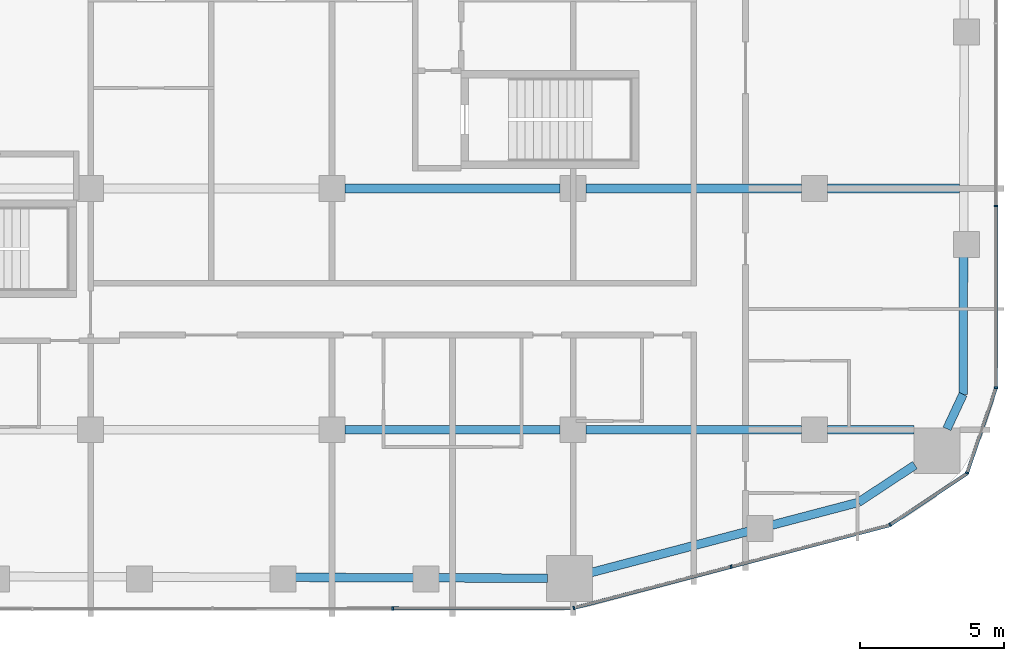
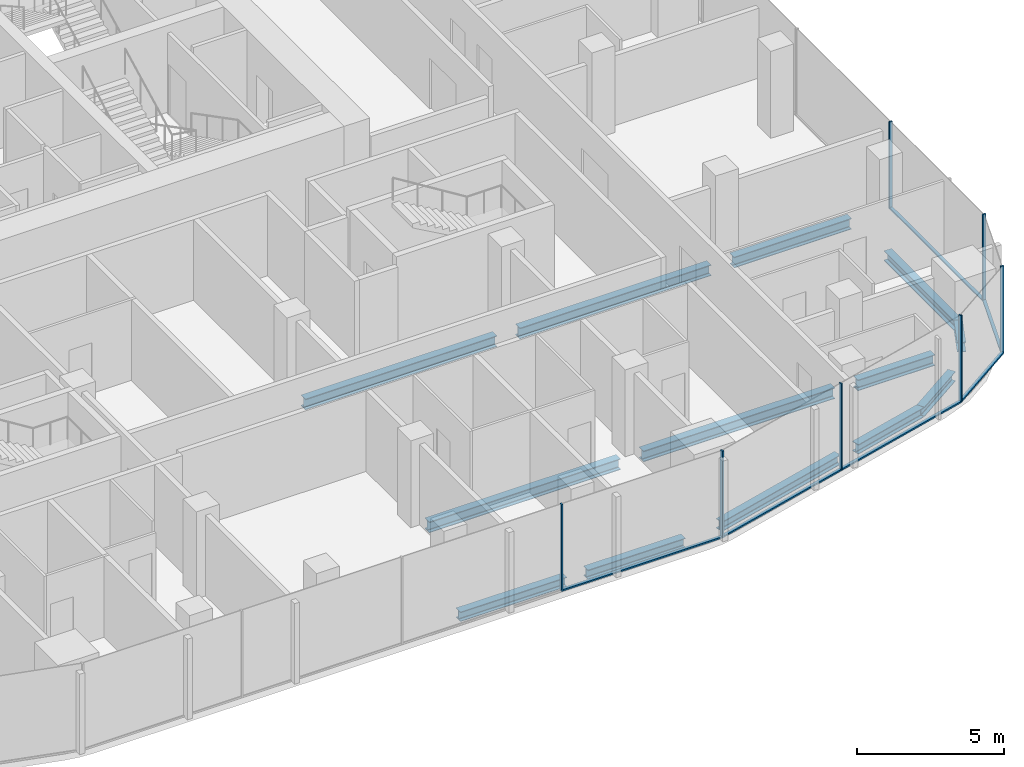
# One storey, part 6 of 23: 13 beams, 13 members, 5 elements without a shape of their own.
"""IFC4 building model written with IfcOpenShell, lengths in metres."""

from ifc_helpers import new_model, si_unit, direction, frame, origin, origin_2d, place, context, subcontext, project, spatial, rectangle, i_section, extrude, material, layer, layer_set, material_profile, profile_set, type_object, element, aggregate, save


model = new_model("IFC4")

# Units and contexts
model_context = context("Model", 3, precision=1e-05, world=origin(), true_north=direction((0.0, 1.0)))
body_context = subcontext(model_context, "Body", "Model", "MODEL_VIEW")
ifc_project = project(units=[si_unit("LENGTHUNIT", "METRE"), si_unit("AREAUNIT", "SQUARE_METRE"), si_unit("VOLUMEUNIT", "CUBIC_METRE"), si_unit("PLANEANGLEUNIT", "RADIAN"), si_unit("MASSUNIT", "GRAM", prefix="KILO")], contexts=[model_context])

# Site, building, storey
site_placement = place(None, origin())
site = spatial("IfcSite", under=ifc_project, at=site_placement, CompositionType="ELEMENT")
building_placement = place(site_placement, origin())
building = spatial("IfcBuilding", under=site, at=building_placement, Name="Marenta Gate Hotel Tower", CompositionType="ELEMENT")
storey_placement = place(building_placement, frame((0.0, 0.0, 119.300048828125)))
storey = spatial("IfcBuildingStorey", under=building, at=storey_placement, Name="L26", CompositionType="ELEMENT", Elevation=119.300048828125)

# Beams
ifc_material_1 = material(Name="Steel S355", Category="steel")
ifc_material_profile_1 = material_profile(ifc_material_1, i_section(OverallWidth=0.300048828125, OverallDepth=0.39990234375, WebThickness=0.013427734375, FlangeThickness=0.02392578125, FilletRadius=0.027099609375, at=origin_2d()), Name="HEB 400")
ifc_profile_set_1 = profile_set([ifc_material_profile_1], Name="Steel S355")
beam_type_1 = type_object("IfcBeamType", Name="Edge beam HEB 400", PredefinedType="SPANDREL", material=ifc_profile_set_1)
beam_1_placement = place(storey_placement, frame((26.191162109375, -10.761962890625, -0.4599609375), z_axis=(-0.003353298899, -0.999994377677, 0.0), x_axis=(0.999994377677, -0.003353298899, 0.0)))
element("IfcBeam", 1, at=beam_1_placement, inside=storey, type_object=beam_type_1, Name="L26-EB-27", PredefinedType="SPANDREL", context=body_context, shape_type="SweptSolid", body=[
    extrude(i_section(OverallWidth=0.300048828125, OverallDepth=0.39990234375, WebThickness=0.013427734375, FlangeThickness=0.02392578125, FilletRadius=0.027099609375, at=origin_2d()), origin(), (0.0, 0.0, 1.0), 4.80517578125),
])
beam_2_placement = place(storey_placement, frame((26.175048828125, -15.567138671875, -0.4599609375), z_axis=(-0.423207780269, -0.906032656541, 0.0), x_axis=(0.906032656541, -0.423207780269, 0.0)))
element("IfcBeam", 2, at=beam_2_placement, inside=storey, type_object=beam_type_1, Name="L26-EB-28", PredefinedType="SPANDREL", context=body_context, shape_type="SweptSolid", body=[
    extrude(i_section(OverallWidth=0.300048828125, OverallDepth=0.39990234375, WebThickness=0.013427734375, FlangeThickness=0.02392578125, FilletRadius=0.027099609375, at=origin_2d()), origin(), (0.0, 0.0, 1.0), 1.326904296875),
])
beam_3_placement = place(storey_placement, frame((24.496337890625, -18.0322265625, -0.4599609375), z_axis=(-0.834496060599, -0.551013906217, 0.0), x_axis=(0.551013906217, -0.834496060599, 0.0)))
element("IfcBeam", 3, at=beam_3_placement, inside=storey, type_object=beam_type_1, Name="L26-EB-29", PredefinedType="SPANDREL", context=body_context, shape_type="SweptSolid", body=[
    extrude(i_section(OverallWidth=0.300048828125, OverallDepth=0.39990234375, WebThickness=0.013427734375, FlangeThickness=0.02392578125, FilletRadius=0.027099609375, at=origin_2d()), origin(), (0.0, 0.0, 1.0), 2.357177734375),
])
beam_4_placement = place(storey_placement, frame((22.529296875, -19.3310546875, -0.4599609375), z_axis=(-0.967224706208, -0.25392197168, 0.0), x_axis=(0.25392197168, -0.967224706208, 0.0)))
element("IfcBeam", 4, at=beam_4_placement, inside=storey, type_object=beam_type_1, Name="L26-EB-30", PredefinedType="SPANDREL", context=body_context, shape_type="SweptSolid", body=[
    extrude(i_section(OverallWidth=0.300048828125, OverallDepth=0.39990234375, WebThickness=0.013427734375, FlangeThickness=0.02392578125, FilletRadius=0.027099609375, at=origin_2d()), origin(), (0.0, 0.0, 1.0), 3.11328125),
])
beam_5_placement = place(storey_placement, frame((18.695556640625, -20.33740234375, -0.4599609375), z_axis=(-0.96723321901, -0.253889542999, 0.0), x_axis=(0.253889542999, -0.96723321901, 0.0)))
element("IfcBeam", 5, at=beam_5_placement, inside=storey, type_object=beam_type_1, Name="L26-EB-31", PredefinedType="SPANDREL", context=body_context, shape_type="SweptSolid", body=[
    extrude(i_section(OverallWidth=0.300048828125, OverallDepth=0.39990234375, WebThickness=0.013427734375, FlangeThickness=0.02392578125, FilletRadius=0.027099609375, at=origin_2d()), origin(), (0.0, 0.0, 1.0), 5.6533203125),
])
beam_6_placement = place(storey_placement, frame((11.706298828125, -21.97021484375, -0.4599609375), z_axis=(-0.999994883969, 0.003198755307, 0.0), x_axis=(-0.003198755307, -0.999994883969, 0.0)))
element("IfcBeam", 6, at=beam_6_placement, inside=storey, type_object=beam_type_1, Name="L26-EB-32", PredefinedType="SPANDREL", context=body_context, shape_type="SweptSolid", body=[
    extrude(i_section(OverallWidth=0.300048828125, OverallDepth=0.39990234375, WebThickness=0.013427734375, FlangeThickness=0.02392578125, FilletRadius=0.027099609375, at=origin_2d()), origin(), (0.0, 0.0, 1.0), 3.816162109375),
])
beam_7_placement = place(storey_placement, frame((7.070068359375, -21.955322265625, -0.4599609375), z_axis=(-0.999994807487, 0.003222576575, 0.0), x_axis=(-0.003222576575, -0.999994807487, 0.0)))
element("IfcBeam", 7, at=beam_7_placement, inside=storey, type_object=beam_type_1, Name="L26-EB-33", PredefinedType="SPANDREL", context=body_context, shape_type="SweptSolid", body=[
    extrude(i_section(OverallWidth=0.300048828125, OverallDepth=0.39990234375, WebThickness=0.013427734375, FlangeThickness=0.02392578125, FilletRadius=0.027099609375, at=origin_2d()), origin(), (0.0, 0.0, 1.0), 4.166748046875),
])
ifc_material_2 = material(Name="Steel S355", Category="steel")
ifc_material_profile_2 = material_profile(ifc_material_2, i_section(OverallWidth=0.300048828125, OverallDepth=0.449951171875, WebThickness=0.013916015625, FlangeThickness=0.02587890625, FilletRadius=0.027099609375, at=origin_2d()), Name="HEB 450")
ifc_profile_set_2 = profile_set([ifc_material_profile_2], Name="Steel S355")
beam_type_2 = type_object("IfcBeamType", Name="Girder HEB 450", PredefinedType="BEAM", material=ifc_profile_set_2)
for number, where, z_axis, x_axis, name in (
    (8, (4.64990234375, -16.800048828125, -0.485107421875), (1.0, 0.0, 0.0), (0.0, 1.0, 0.0), "L26-GD-5"),
    (9, (13.050048828125, -16.800048828125, -0.485107421875), (1.0, 0.0, 0.0), (0.0, 1.0, 0.0), "L26-GD-6"),
):
    element("IfcBeam", number, at=place(storey_placement, frame(where, z_axis=z_axis, x_axis=x_axis)), inside=storey, type_object=beam_type_2, Name=name, PredefinedType="BEAM", context=body_context, shape_type="SweptSolid", body=[
        extrude(i_section(OverallWidth=0.300048828125, OverallDepth=0.449951171875, WebThickness=0.013916015625, FlangeThickness=0.02587890625, FilletRadius=0.027099609375, at=origin_2d()), origin(), (0.0, 0.0, 1.0), 7.5),
    ])
beam_8_placement = place(storey_placement, frame((21.449951171875, -16.800048828125, -0.485107421875), z_axis=(1.0, 0.0, 0.0), x_axis=(0.0, 1.0, 0.0)))
element("IfcBeam", 10, at=beam_8_placement, inside=storey, type_object=beam_type_2, Name="L26-GD-7", PredefinedType="BEAM", context=body_context, shape_type="SweptSolid", body=[
    extrude(i_section(OverallWidth=0.300048828125, OverallDepth=0.449951171875, WebThickness=0.013916015625, FlangeThickness=0.02587890625, FilletRadius=0.027099609375, at=origin_2d()), origin(), (0.0, 0.0, 1.0), 3.012939453125),
])
for number, where, z_axis, x_axis, name in (
    (11, (4.64990234375, -8.39990234375, -0.485107421875), (1.0, 0.0, 0.0), (0.0, 1.0, 0.0), "L26-GD-12"),
    (12, (13.050048828125, -8.39990234375, -0.485107421875), (1.0, 0.0, 0.0), (0.0, 1.0, 0.0), "L26-GD-13"),
):
    element("IfcBeam", number, at=place(storey_placement, frame(where, z_axis=z_axis, x_axis=x_axis)), inside=storey, type_object=beam_type_2, Name=name, PredefinedType="BEAM", context=body_context, shape_type="SweptSolid", body=[
        extrude(i_section(OverallWidth=0.300048828125, OverallDepth=0.449951171875, WebThickness=0.013916015625, FlangeThickness=0.02587890625, FilletRadius=0.027099609375, at=origin_2d()), origin(), (0.0, 0.0, 1.0), 7.5),
    ])
beam_9_placement = place(storey_placement, frame((21.449951171875, -8.39990234375, -0.485107421875), z_axis=(1.0, 0.0, 0.0), x_axis=(0.0, 1.0, 0.0)))
element("IfcBeam", 13, at=beam_9_placement, inside=storey, type_object=beam_type_2, Name="L26-GD-14", PredefinedType="BEAM", context=body_context, shape_type="SweptSolid", body=[
    extrude(i_section(OverallWidth=0.300048828125, OverallDepth=0.449951171875, WebThickness=0.013916015625, FlangeThickness=0.02587890625, FilletRadius=0.027099609375, at=origin_2d()), origin(), (0.0, 0.0, 1.0), 4.59912109375),
])

# Curtain wall, member
ifc_material_3 = material(Name="Tinted insulated glass in bronze anodised frame", Category="glass")
ifc_layer = layer(ifc_material_3, 0.1201171875)
ifc_layer_set = layer_set([ifc_layer], Name="Tinted insulated glass in bronze anodised frame")
curtain_wall_type = type_object("IfcCurtainWallType", Name="Tower unitised curtain wall CW1", PredefinedType="NOTDEFINED", material=ifc_layer_set)
curtain_wall_1_placement = place(storey_placement, origin())
curtain_wall_1 = element("IfcCurtainWall", 14, at=curtain_wall_1_placement, inside=storey, type_object=curtain_wall_type, Name="CW1 run G07", PredefinedType="NOTDEFINED")
ifc_material_4 = material(Name="Bronze anodised aluminium", Category="aluminium")
ifc_material_profile_3 = material_profile(ifc_material_4, rectangle(XDim=0.1201171875, YDim=0.06005859375, at=origin_2d()), Name="Mullion CW1 60x120 bronze anodised aluminium")
ifc_profile_set_3 = profile_set([ifc_material_profile_3], Name="Bronze anodised aluminium")
member_type_1 = type_object("IfcMemberType", Name="Mullion CW1 60x120 bronze anodised aluminium", PredefinedType="MULLION", material=ifc_profile_set_3)
member_1_placement = place(storey_placement, frame((6.32177734375, -23.021728515625, 0.0), z_axis=(0.0, 0.0, 1.0), x_axis=(-0.001362347707, 0.999999072004, 0.0)))
member_1 = element("IfcMember", 15, at=member_1_placement, type_object=member_type_1, Name="CW1 mullion 4", PredefinedType="MULLION", context=body_context, shape_type="SweptSolid", body=[
    extrude(rectangle(XDim=0.1201171875, YDim=0.06005859375, at=origin_2d()), origin(), (0.0, 0.0, 1.0), 3.599853515625),
])

# Curtain wall, members
curtain_wall_2_placement = place(storey_placement, origin())
curtain_wall_2 = element("IfcCurtainWall", 16, at=curtain_wall_2_placement, inside=storey, type_object=curtain_wall_type, Name="CW1 run G08", PredefinedType="NOTDEFINED")
member_2_placement = place(storey_placement, frame((12.626708984375, -23.005615234375, 0.0), z_axis=(0.0, 0.0, 1.0), x_axis=(-0.253374270473, 0.967368326473, 0.0)))
member_2 = element("IfcMember", 17, at=member_2_placement, type_object=member_type_1, Name="CW1 mullion 1", PredefinedType="MULLION", context=body_context, shape_type="SweptSolid", body=[
    extrude(rectangle(XDim=0.1201171875, YDim=0.06005859375, at=origin_2d()), origin(), (0.0, 0.0, 1.0), 3.599853515625),
])
member_3_placement = place(storey_placement, frame((18.102783203125, -21.571533203125, 0.0), z_axis=(0.0, 0.0, 1.0), x_axis=(-0.253374270473, 0.967368326473, 0.0)))
member_3 = element("IfcMember", 18, at=member_3_placement, type_object=member_type_1, Name="CW1 mullion 2", PredefinedType="MULLION", context=body_context, shape_type="SweptSolid", body=[
    extrude(rectangle(XDim=0.1201171875, YDim=0.06005859375, at=origin_2d()), origin(), (0.0, 0.0, 1.0), 3.599853515625),
])

# Curtain wall, member
curtain_wall_3_placement = place(storey_placement, origin())
curtain_wall_3 = element("IfcCurtainWall", 19, at=curtain_wall_3_placement, inside=storey, type_object=curtain_wall_type, Name="CW1 run G09", PredefinedType="NOTDEFINED")
member_4_placement = place(storey_placement, frame((23.632568359375, -20.113037109375, 0.0), z_axis=(0.0, 0.0, 1.0), x_axis=(-0.554016243423, 0.832505857051, 0.0)))
member_4 = element("IfcMember", 20, at=member_4_placement, type_object=member_type_1, Name="CW1 mullion 1", PredefinedType="MULLION", context=body_context, shape_type="SweptSolid", body=[
    extrude(rectangle(XDim=0.1201171875, YDim=0.06005859375, at=origin_2d()), origin(), (0.0, 0.0, 1.0), 3.599853515625),
])

curtain_wall_4_placement = place(storey_placement, origin())
curtain_wall_4 = element("IfcCurtainWall", 21, at=curtain_wall_4_placement, inside=storey, type_object=curtain_wall_type, Name="CW1 run G10", PredefinedType="NOTDEFINED")
member_5_placement = place(storey_placement, frame((26.314453125, -18.30615234375, 0.0), z_axis=(0.0, 0.0, 1.0), x_axis=(-0.946728385013, 0.322033173773, 0.0)))
member_5 = element("IfcMember", 22, at=member_5_placement, type_object=member_type_1, Name="CW1 mullion 1", PredefinedType="MULLION", context=body_context, shape_type="SweptSolid", body=[
    extrude(rectangle(XDim=0.1201171875, YDim=0.06005859375, at=origin_2d()), origin(), (0.0, 0.0, 1.0), 3.599853515625),
])

# Curtain wall, members
curtain_wall_5_placement = place(storey_placement, origin())
curtain_wall_5 = element("IfcCurtainWall", 23, at=curtain_wall_5_placement, inside=storey, type_object=curtain_wall_type, Name="CW1 run G11", PredefinedType="NOTDEFINED")
member_6_placement = place(storey_placement, frame((27.31396484375, -15.337890625, 0.0), z_axis=(0.0, 0.0, 1.0), x_axis=(-1.0, 0.0, 0.0)))
member_6 = element("IfcMember", 24, at=member_6_placement, type_object=member_type_1, Name="CW1 mullion 1", PredefinedType="MULLION", context=body_context, shape_type="SweptSolid", body=[
    extrude(rectangle(XDim=0.1201171875, YDim=0.06005859375, at=origin_2d()), origin(), (0.0, 0.0, 1.0), 3.599853515625),
])
member_7_placement = place(storey_placement, frame((27.31396484375, -9.008056640625, 0.0), z_axis=(0.0, 0.0, 1.0), x_axis=(-1.0, 0.0, 0.0)))
member_7 = element("IfcMember", 25, at=member_7_placement, type_object=member_type_1, Name="CW1 mullion 2", PredefinedType="MULLION", context=body_context, shape_type="SweptSolid", body=[
    extrude(rectangle(XDim=0.1201171875, YDim=0.06005859375, at=origin_2d()), origin(), (0.0, 0.0, 1.0), 3.599853515625),
])

# Member
ifc_material_5 = material(Name="Bronze anodised aluminium", Category="aluminium")
ifc_material_profile_4 = material_profile(ifc_material_5, rectangle(XDim=0.1201171875, YDim=0.06005859375, at=origin_2d()), Name="Transom CW1 60x120 bronze anodised aluminium")
ifc_profile_set_4 = profile_set([ifc_material_profile_4], Name="Bronze anodised aluminium")
member_type_2 = type_object("IfcMemberType", Name="Transom CW1 60x120 bronze anodised aluminium", PredefinedType="USERDEFINED", material=ifc_profile_set_4)
member_8_placement = place(storey_placement, frame((6.351806640625, -23.021728515625, 0.030029296875), z_axis=(0.999999064231, 0.001368041246, 0.0), x_axis=(-0.001368041246, 0.999999064231, 0.0)))
member_8 = element("IfcMember", 26, at=member_8_placement, type_object=member_type_2, Name="CW1 transom 4.1", ObjectType="TRANSOM", PredefinedType="USERDEFINED", context=body_context, shape_type="SweptSolid", body=[
    extrude(rectangle(XDim=0.1201171875, YDim=0.06005859375, at=origin_2d()), origin(), (0.0, 0.0, 1.0), 6.24609375),
])

aggregate(curtain_wall_1, [member_1, member_8])

member_9_placement = place(storey_placement, frame((12.65576171875, -22.998046875, 0.030029296875), z_axis=(0.967374258372, 0.25335162174, 0.0), x_axis=(-0.25335162174, 0.967374258372, 0.0)))
member_9 = element("IfcMember", 27, at=member_9_placement, type_object=member_type_2, Name="CW1 transom 1.1", ObjectType="TRANSOM", PredefinedType="USERDEFINED", context=body_context, shape_type="SweptSolid", body=[
    extrude(rectangle(XDim=0.1201171875, YDim=0.06005859375, at=origin_2d()), origin(), (0.0, 0.0, 1.0), 5.6005859375),
])

member_10_placement = place(storey_placement, frame((18.1318359375, -21.56396484375, 0.030029296875), z_axis=(0.967364420611, 0.253389182357, 0.0), x_axis=(-0.253389182357, 0.967364420611, 0.0)))
member_10 = element("IfcMember", 28, at=member_10_placement, type_object=member_type_2, Name="CW1 transom 2.1", ObjectType="TRANSOM", PredefinedType="USERDEFINED", context=body_context, shape_type="SweptSolid", body=[
    extrude(rectangle(XDim=0.1201171875, YDim=0.06005859375, at=origin_2d()), origin(), (0.0, 0.0, 1.0), 5.66064453125),
])

aggregate(curtain_wall_2, [member_2, member_3, member_9, member_10])

member_11_placement = place(storey_placement, frame((23.657470703125, -20.096435546875, 0.030029296875), z_axis=(0.832522439521, 0.553991324565, 0.0), x_axis=(-0.553991324565, 0.832522439521, 0.0)))
member_11 = element("IfcMember", 29, at=member_11_placement, type_object=member_type_2, Name="CW1 transom 1.1", ObjectType="TRANSOM", PredefinedType="USERDEFINED", context=body_context, shape_type="SweptSolid", body=[
    extrude(rectangle(XDim=0.1201171875, YDim=0.06005859375, at=origin_2d()), origin(), (0.0, 0.0, 1.0), 3.179931640625),
])

aggregate(curtain_wall_3, [member_4, member_11])

member_12_placement = place(storey_placement, frame((26.32421875, -18.27783203125, 0.030029296875), z_axis=(0.322012379162, 0.946735458123, 0.0), x_axis=(-0.946735458123, 0.322012379162, 0.0)))
member_12 = element("IfcMember", 30, at=member_12_placement, type_object=member_type_2, Name="CW1 transom 1.1", ObjectType="TRANSOM", PredefinedType="USERDEFINED", context=body_context, shape_type="SweptSolid", body=[
    extrude(rectangle(XDim=0.1201171875, YDim=0.06005859375, at=origin_2d()), origin(), (0.0, 0.0, 1.0), 3.07373046875),
])

aggregate(curtain_wall_4, [member_5, member_12])

member_13_placement = place(storey_placement, frame((27.31396484375, -15.30810546875, 0.030029296875), z_axis=(0.0, 1.0, 0.0), x_axis=(-1.0, 0.0, 0.0)))
member_13 = element("IfcMember", 31, at=member_13_placement, type_object=member_type_2, Name="CW1 transom 1.1", ObjectType="TRANSOM", PredefinedType="USERDEFINED", context=body_context, shape_type="SweptSolid", body=[
    extrude(rectangle(XDim=0.1201171875, YDim=0.06005859375, at=origin_2d()), origin(), (0.0, 0.0, 1.0), 6.27001953125),
])

aggregate(curtain_wall_5, [member_6, member_7, member_13])

save(model, "model.ifc")
